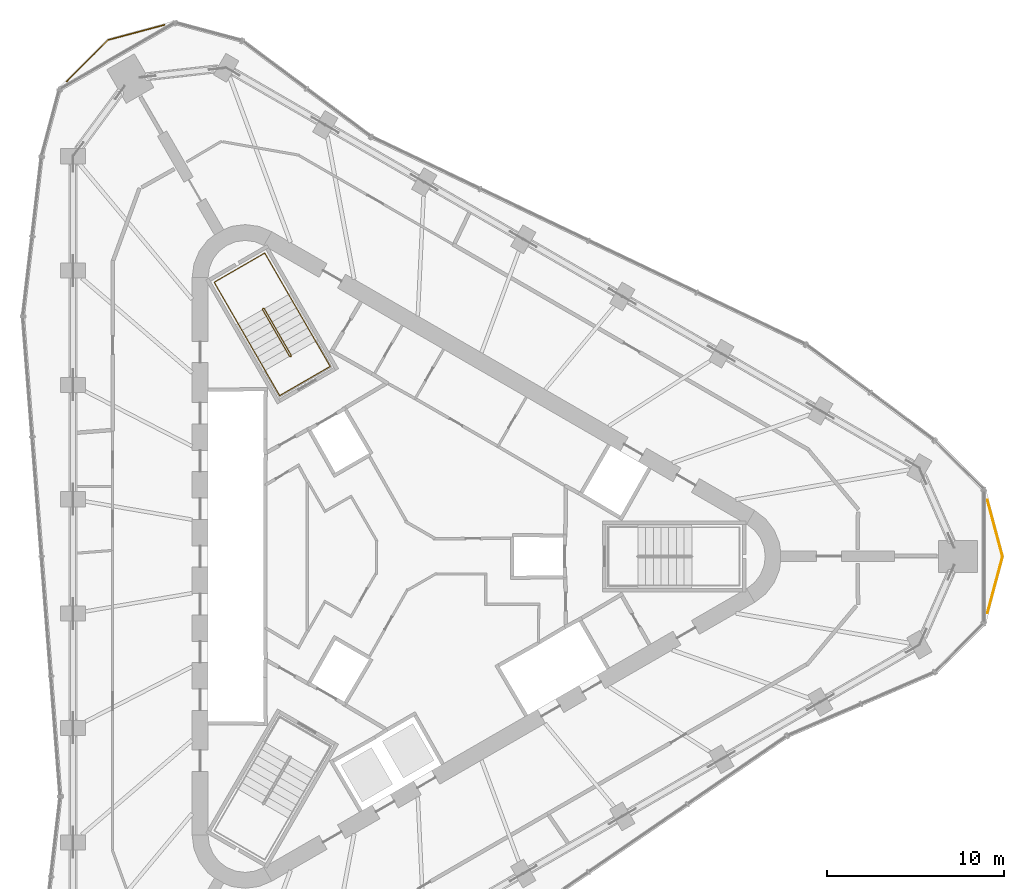
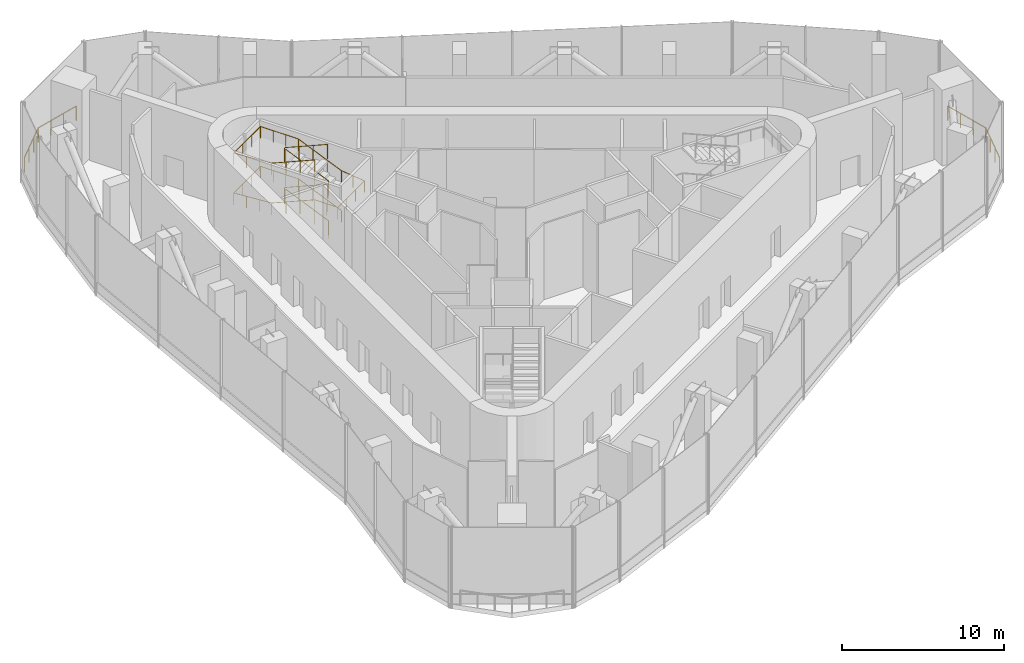
# One storey, part 14 of 15: 4 railings.
"""IFC4 building model written with IfcOpenShell, lengths in metres."""

import ifcopenshell
import ifcopenshell.guid

model = None  # the IFC model being written
_history = None  # IfcOwnerHistory: only IFC2X3 demands one
_inside = {}  # id of a spatial element -> (the spatial element, [elements in it])
_under = {}  # id of a project, library or spatial element -> (it, [spatial elements below it])
_declared = {}  # id of a project -> (the project, [libraries it declares])
_typed = {}  # id of a type object -> (the type object, [elements of that type])
_made_of = {}  # id of a material, layer set ... -> (it, [elements and type objects made of it])


def new_model(schema):
    """Start an empty IFC model of exactly this schema.

    Asked for "IFC4X3", IfcOpenShell would pick the latest addendum, in which some entities
    have other attributes; the version numbers below select the first issue.
    IFC2X3 requires an IfcOwnerHistory on every rooted entity: one is made here for all.
    """
    global model, _history
    if schema == "IFC4X3":
        model = ifcopenshell.file(schema_version=(4, 3, 0, 0))
    else:
        model = ifcopenshell.file(schema=schema)
    _inside.clear()
    _under.clear()
    _declared.clear()
    _typed.clear()
    _made_of.clear()
    _history = None
    if model.schema == "IFC2X3":
        org = make("IfcOrganization", Name="unknown")
        user = make(
            "IfcPersonAndOrganization",
            ThePerson=make("IfcPerson", FamilyName="unknown"),
            TheOrganization=org,
        )
        app = make(
            "IfcApplication",
            ApplicationDeveloper=org,
            Version="unknown",
            ApplicationFullName="unknown",
            ApplicationIdentifier="unknown",
        )
        _history = make(
            "IfcOwnerHistory",
            OwningUser=user,
            OwningApplication=app,
            ChangeAction="ADDED",
            CreationDate=0,
        )
    return model


def make(cls, **values):
    """One entity of the class cls with the attributes given. An attribute that is None is left unset."""
    return model.create_entity(
        cls, **{name: value for name, value in values.items() if value is not None}
    )


def rooted(cls, **values):
    """An entity with a GlobalId (a new one), such as an element, a storey or a relation."""
    return make(cls, GlobalId=ifcopenshell.guid.new(), OwnerHistory=_history, **values)


def si_unit(unit_type, name, prefix=None):
    """IfcSIUnit, for example si_unit("LENGTHUNIT", "METRE", prefix="MILLI")."""
    return make("IfcSIUnit", UnitType=unit_type, Prefix=prefix, Name=name)


def assignment(units):
    """IfcUnitAssignment: the units of a project."""
    return None if units is None else make("IfcUnitAssignment", Units=units)


def point(xyz):
    """IfcCartesianPoint."""
    return None if xyz is None else make("IfcCartesianPoint", Coordinates=xyz)


def direction(xyz):
    """IfcDirection."""
    return None if xyz is None else make("IfcDirection", DirectionRatios=xyz)


def frame(location, z_axis=None, x_axis=None):
    """IfcAxis2Placement3D, a coordinate frame: its origin and axes. An axis left out is left unset."""
    return make(
        "IfcAxis2Placement3D",
        Location=point(location),
        Axis=direction(z_axis),
        RefDirection=direction(x_axis),
    )


def frame_2d(location, x_axis=None):
    """IfcAxis2Placement2D, a coordinate frame in the plane: its origin and x axis."""
    return make(
        "IfcAxis2Placement2D", Location=point(location), RefDirection=direction(x_axis)
    )


def origin():
    """The frame at (0, 0, 0) with its axes left unset."""
    return frame((0.0, 0.0, 0.0))


def origin_2d():
    """The frame at (0, 0) in the plane with its x axis left unset."""
    return frame_2d((0.0, 0.0))


def place(relative_to, where):
    """IfcLocalPlacement: puts the frame where relative to a parent placement (None: the world)."""
    return make(
        "IfcLocalPlacement", PlacementRelTo=relative_to, RelativePlacement=where
    )


def context(
    kind, dimensions, precision=None, world=None, true_north=None, identifier=None
):
    """IfcGeometricRepresentationContext, for example the 3D "Model" context."""
    return make(
        "IfcGeometricRepresentationContext",
        ContextIdentifier=identifier,
        ContextType=kind,
        CoordinateSpaceDimension=dimensions,
        Precision=precision,
        WorldCoordinateSystem=world,
        TrueNorth=true_north,
    )


def subcontext(parent, identifier, kind, view, scale=None):
    """IfcGeometricRepresentationSubContext, for example "Body" below "Model"."""
    return make(
        "IfcGeometricRepresentationSubContext",
        ContextIdentifier=identifier,
        ContextType=kind,
        ParentContext=parent,
        TargetScale=scale,
        TargetView=view,
    )


def project(units=None, contexts=None):
    """IfcProject with its units and contexts."""
    return rooted(
        "IfcProject",
        Name="project",
        RepresentationContexts=contexts,
        UnitsInContext=assignment(units),
    )


def spatial(cls, under=None, at=None, **own):
    """A site, building, storey or space (cls), placed at a placement, below another one or the project."""
    s = rooted(cls, ObjectPlacement=at, **own)
    if under is not None:
        _under.setdefault(under.id(), (under, []))[1].append(s)
    return s


def profile(cls, at=None, kind="AREA", **sizes):
    """A parametric profile (cls). Its sizes go by their IFC names, for example OverallWidth=200.0."""
    return make(cls, ProfileType=kind, Position=at, **sizes)


def circle(**sizes):
    """IfcCircleProfileDef."""
    return profile("IfcCircleProfileDef", **sizes)


def extrude(swept, where, along, depth):
    """IfcExtrudedAreaSolid: the profile swept, set in the frame where, extruded along a direction by depth."""
    return make(
        "IfcExtrudedAreaSolid",
        SweptArea=swept,
        Position=where,
        ExtrudedDirection=direction(along),
        Depth=depth,
    )


def shape(context_of_items, identifier, shape_type, items):
    """IfcShapeRepresentation: the items that make up one representation, for example the "Body"."""
    return make(
        "IfcShapeRepresentation",
        ContextOfItems=context_of_items,
        RepresentationIdentifier=identifier,
        RepresentationType=shape_type,
        Items=items,
    )


def material(Name=None, Category=None):
    """IfcMaterial."""
    return make("IfcMaterial", Name=Name, Category=Category)


def made_of(thing, what):
    """Note that an element or type object is made of a material, layer set ...; save() writes the relation."""
    if what is not None:
        _made_of.setdefault(what.id(), (what, []))[1].append(thing)
    return thing


def type_object(cls, material=None, **own):
    """A type object (cls), such as IfcWallType, which elements share."""
    return made_of(rooted(cls, **own), material)


def element(
    cls,
    number,
    at=None,
    inside=None,
    cuts=None,
    type_object=None,
    material=None,
    context=None,
    identifier="Body",
    shape_type=None,
    held_by="IfcProductDefinitionShape",
    body=None,
    shapes=None,
    **own,
):
    """One element of the class cls, such as IfcWall. Its Tag is "e" and its number.

    at: its placement. inside: the storey or other place that contains it. cuts: it is an
    opening in that element (IfcRelVoidsElement). A single representation is given by context,
    identifier, shape_type and body (its items); several are given by shapes. held_by: the class
    of the entity that holds the representations. save() writes the other relations.
    """
    e = rooted(cls, Tag="e%d" % number, ObjectPlacement=at, **own)
    if body is not None:
        shapes = [shape(context, identifier, shape_type, body)]
    if shapes is not None:
        e.Representation = make(held_by, Representations=shapes)
    if inside is not None:
        _inside.setdefault(inside.id(), (inside, []))[1].append(e)
    if cuts is not None:
        rooted(
            "IfcRelVoidsElement", RelatingBuildingElement=cuts, RelatedOpeningElement=e
        )
    if type_object is not None:
        _typed.setdefault(type_object.id(), (type_object, []))[1].append(e)
    return made_of(e, material)


def aggregate(whole, parts):
    """IfcRelAggregates: a whole, such as a stair, and the parts it consists of."""
    return rooted("IfcRelAggregates", RelatingObject=whole, RelatedObjects=parts)


def save(model, path):
    """Write the relations noted so far, then the file.

    IfcRelAggregates (storeys below a building ...), IfcRelContainedInSpatialStructure (elements
    in a storey), IfcRelDefinesByType, IfcRelAssociatesMaterial and IfcRelDeclares: one each for
    every whole, place, type object, material and project.
    """
    for whole, parts in _under.values():
        aggregate(whole, parts)
    for where, things in _inside.values():
        rooted(
            "IfcRelContainedInSpatialStructure",
            RelatedElements=things,
            RelatingStructure=where,
        )
    for kind, things in _typed.values():
        rooted("IfcRelDefinesByType", RelatedObjects=things, RelatingType=kind)
    for what, things in _made_of.values():
        rooted("IfcRelAssociatesMaterial", RelatedObjects=things, RelatingMaterial=what)
    for by, libraries in _declared.values():
        rooted("IfcRelDeclares", RelatingContext=by, RelatedDefinitions=libraries)
    model.write(path)


model = new_model("IFC4")

# Units and contexts
model_context = context("Model", 3, precision=1e-05, world=origin(), true_north=direction((0.0, 1.0)))
body_context = subcontext(model_context, "Body", "Model", "MODEL_VIEW")
ifc_project = project(units=[si_unit("LENGTHUNIT", "METRE"), si_unit("AREAUNIT", "SQUARE_METRE"), si_unit("VOLUMEUNIT", "CUBIC_METRE"), si_unit("PLANEANGLEUNIT", "RADIAN"), si_unit("MASSUNIT", "GRAM", prefix="KILO")], contexts=[model_context])

# Site, building, storey
site_placement = place(None, origin())
site = spatial("IfcSite", under=ifc_project, at=site_placement, CompositionType="ELEMENT")
building_placement = place(site_placement, origin())
building = spatial("IfcBuilding", under=site, at=building_placement, Name="Tanit Gate Tower", CompositionType="ELEMENT")
storey_placement = place(building_placement, frame((0.0, 0.0, 392.300048828125)))
storey = spatial("IfcBuildingStorey", under=building, at=storey_placement, Name="L90", CompositionType="ELEMENT", Elevation=392.300048828125)

# Railings
ifc_material_1 = material(Name="Stainless steel", Category="steel")
railing_type_1 = type_object("IfcRailingType", Name="Guard 1100 stainless steel balustrade", PredefinedType="GUARDRAIL", material=ifc_material_1)
railing_1_placement = place(storey_placement, frame((-19.1923828125, 26.8603515625, 0.0)))
element("IfcRailing", 1, at=railing_1_placement, inside=storey, type_object=railing_type_1, Name="Corner ledge guard L90 2", PredefinedType="GUARDRAIL", context=body_context, shape_type="SweptSolid", body=[
    extrude(circle(Radius=0.02392578125, at=origin_2d()), frame((0.0, 0.0, 1.076171875), z_axis=(0.707106781187, 0.707106781187, 0.0), x_axis=(-0.707106781187, 0.707106781187, 0.0)), (0.0, 0.0, 1.0), 3.303466796875),
    extrude(circle(Radius=0.02392578125, at=origin_2d()), frame((2.3359375, 2.3359375, 1.076171875), z_axis=(0.965927598952, 0.258812429344, 0.0), x_axis=(-0.258812429344, 0.965927598952, 0.0)), (0.0, 0.0, 1.0), 3.303466796875),
    extrude(circle(Radius=0.02099609375, at=origin_2d()), origin(), (0.0, 0.0, 1.0), 1.052001953125),
    extrude(circle(Radius=0.02099609375, at=origin_2d()), frame((0.778564453125, 0.778564453125, 0.0)), (0.0, 0.0, 1.0), 1.052001953125),
    extrude(circle(Radius=0.02099609375, at=origin_2d()), frame((1.557373046875, 1.557373046875, 0.0)), (0.0, 0.0, 1.0), 1.052001953125),
    extrude(circle(Radius=0.02099609375, at=origin_2d()), frame((2.3359375, 2.3359375, 0.0)), (0.0, 0.0, 1.0), 1.052001953125),
    extrude(circle(Radius=0.02099609375, at=origin_2d()), frame((3.399658203125, 2.620849609375, 0.0)), (0.0, 0.0, 1.0), 1.052001953125),
    extrude(circle(Radius=0.02099609375, at=origin_2d()), frame((4.463134765625, 2.906005859375, 0.0)), (0.0, 0.0, 1.0), 1.052001953125),
    extrude(circle(Radius=0.02099609375, at=origin_2d()), frame((5.52685546875, 3.19091796875, 0.0)), (0.0, 0.0, 1.0), 1.052001953125),
])
railing_2_placement = place(storey_placement, frame((32.85791015625, 3.190673828125, 0.0)))
element("IfcRailing", 2, at=railing_2_placement, inside=storey, type_object=railing_type_1, Name="Corner ledge guard L90 3", PredefinedType="GUARDRAIL", context=body_context, shape_type="SweptSolid", body=[
    extrude(circle(Radius=0.02392578125, at=origin_2d()), frame((0.0, 0.0, 1.076171875), z_axis=(0.258830906222, -0.965922648034, 0.0), x_axis=(0.965922648034, 0.258830906222, 0.0)), (0.0, 0.0, 1.0), 3.30322265625),
    extrude(circle(Radius=0.02392578125, at=origin_2d()), frame((0.85498046875, -3.190673828125, 1.076171875), z_axis=(-0.258830906222, -0.965922648034, 0.0), x_axis=(0.965922648034, -0.258830906222, 0.0)), (0.0, 0.0, 1.0), 3.30322265625),
    extrude(circle(Radius=0.02099609375, at=origin_2d()), origin(), (0.0, 0.0, 1.0), 1.052001953125),
    extrude(circle(Radius=0.02099609375, at=origin_2d()), frame((0.284912109375, -1.0634765625, 0.0)), (0.0, 0.0, 1.0), 1.052001953125),
    extrude(circle(Radius=0.02099609375, at=origin_2d()), frame((0.570068359375, -2.127197265625, 0.0)), (0.0, 0.0, 1.0), 1.052001953125),
    extrude(circle(Radius=0.02099609375, at=origin_2d()), frame((0.85498046875, -3.190673828125, 0.0)), (0.0, 0.0, 1.0), 1.052001953125),
    extrude(circle(Radius=0.02099609375, at=origin_2d()), frame((0.570068359375, -4.254150390625, 0.0)), (0.0, 0.0, 1.0), 1.052001953125),
    extrude(circle(Radius=0.02099609375, at=origin_2d()), frame((0.284912109375, -5.31787109375, 0.0)), (0.0, 0.0, 1.0), 1.052001953125),
    extrude(circle(Radius=0.02099609375, at=origin_2d()), frame((0.0, -6.38134765625, 0.0)), (0.0, 0.0, 1.0), 1.052001953125),
])
ifc_material_2 = material(Name="Stainless steel balustrade", Category="steel")
railing_type_2 = type_object("IfcRailingType", Name="INT-STAIR-GUARD", PredefinedType="GUARDRAIL", material=ifc_material_2)
railing_3_placement = place(storey_placement, frame((-6.527099609375, 11.29345703125, 0.0)))
element("IfcRailing", 3, at=railing_3_placement, inside=storey, type_object=railing_type_2, Name="L90 S2 stair guard 1", PredefinedType="GUARDRAIL", context=body_context, shape_type="SweptSolid", body=[
    extrude(circle(Radius=0.02392578125, at=origin_2d()), frame((0.0, 0.0, 1.076171875), z_axis=(0.868243142124, 0.496138938357, 0.0), x_axis=(-0.496138938357, 0.868243142124, 0.0)), (0.0, 0.0, 1.0), 0.01171875),
    extrude(circle(Radius=0.02392578125, at=origin_2d()), frame((0.01025390625, 0.005859375, 1.076171875), z_axis=(0.091365023295, 0.341096086969, 0.935577838543), x_axis=(-0.965948051503, 0.258736085224, 0.0)), (0.0, 0.0, 1.0), 0.200439453125),
    extrude(circle(Radius=0.02392578125, at=origin_2d()), frame((0.028564453125, 0.07421875, 1.263671875), z_axis=(-0.459281500864, 0.79545055458, 0.395371873282), x_axis=(-0.866012246495, -0.500022788402, 0.0)), (0.0, 0.0, 1.0), 3.319580078125),
    extrude(circle(Radius=0.02392578125, at=origin_2d()), frame((-1.49609375, 2.71484375, 2.576171875), z_axis=(-0.965715946433, 0.259601060869, 0.0), x_axis=(-0.259601060869, -0.965715946433, 0.0)), (0.0, 0.0, 1.0), 0.070556640625),
    extrude(circle(Radius=0.02392578125, at=origin_2d()), frame((-1.564208984375, 2.733154296875, 2.576171875), z_axis=(-0.873197702015, -0.487366159264, 0.0), x_axis=(0.487366159264, -0.873197702015, 0.0)), (0.0, 0.0, 1.0), 0.011962890625),
    extrude(circle(Radius=0.02392578125, at=origin_2d()), frame((-1.57470703125, 2.727294921875, 2.576171875), z_axis=(-0.091365023295, -0.341096086969, 0.935577838543), x_axis=(0.965948051503, -0.258736085224, 0.0)), (0.0, 0.0, 1.0), 0.200439453125),
    extrude(circle(Radius=0.02392578125, at=origin_2d()), frame((-1.593017578125, 2.658935546875, 2.763671875), z_axis=(0.459281500864, -0.79545055458, 0.395371873282), x_axis=(0.866012246495, 0.500022788402, 0.0)), (0.0, 0.0, 1.0), 3.319580078125),
    extrude(circle(Radius=0.02392578125, at=origin_2d()), frame((-0.068359375, 0.018310546875, 4.076171875), z_axis=(0.965948051503, -0.258736085224, 0.0), x_axis=(0.258736085224, 0.965948051503, 0.0)), (0.0, 0.0, 1.0), 0.07080078125),
    extrude(circle(Radius=0.02392578125, at=origin_2d()), frame((0.0, 0.0, 4.076171875), z_axis=(0.868243142124, 0.496138938357, 0.0), x_axis=(-0.496138938357, 0.868243142124, 0.0)), (0.0, 0.0, 1.0), 0.01171875),
    extrude(circle(Radius=0.02392578125, at=origin_2d()), frame((0.01025390625, 0.005859375, 4.076171875), z_axis=(0.091365023295, 0.341096086969, 0.935577838543), x_axis=(-0.965948051503, 0.258736085224, 0.0)), (0.0, 0.0, 1.0), 0.200439453125),
    extrude(circle(Radius=0.02392578125, at=origin_2d()), frame((0.028564453125, 0.07421875, 4.263671875), z_axis=(-0.459281500864, 0.79545055458, 0.395371873282), x_axis=(-0.866012246495, -0.500022788402, 0.0)), (0.0, 0.0, 1.0), 3.319580078125),
    extrude(circle(Radius=0.02392578125, at=origin_2d()), frame((-1.49609375, 2.71484375, 5.576171875), z_axis=(-0.965715946433, 0.259601060869, 0.0), x_axis=(-0.259601060869, -0.965715946433, 0.0)), (0.0, 0.0, 1.0), 0.070556640625),
    extrude(circle(Radius=0.02392578125, at=origin_2d()), frame((-1.564208984375, 2.733154296875, 5.576171875), z_axis=(-0.873197702015, -0.487366159264, 0.0), x_axis=(0.487366159264, -0.873197702015, 0.0)), (0.0, 0.0, 1.0), 0.011962890625),
    extrude(circle(Radius=0.02392578125, at=origin_2d()), frame((-1.57470703125, 2.727294921875, 5.576171875), z_axis=(-0.091365023295, -0.341096086969, 0.935577838543), x_axis=(0.965948051503, -0.258736085224, 0.0)), (0.0, 0.0, 1.0), 0.200439453125),
    extrude(circle(Radius=0.02392578125, at=origin_2d()), frame((-1.593017578125, 2.658935546875, 5.763671875), z_axis=(0.459281500864, -0.79545055458, 0.395371873282), x_axis=(0.866012246495, 0.500022788402, 0.0)), (0.0, 0.0, 1.0), 3.319580078125),
    extrude(circle(Radius=0.02099609375, at=origin_2d()), origin(), (0.0, 0.0, 1.0), 1.052001953125),
    extrude(circle(Radius=0.02099609375, at=origin_2d()), frame((0.01025390625, 0.005859375, 0.0)), (0.0, 0.0, 1.0), 1.052001953125),
    extrude(circle(Radius=0.02099609375, at=origin_2d()), frame((0.028564453125, 0.07421875, 0.1875)), (0.0, 0.0, 1.0), 1.052001953125),
    extrude(circle(Radius=0.02099609375, at=origin_2d()), frame((-0.479736328125, 0.954345703125, 0.625)), (0.0, 0.0, 1.0), 1.052001953125),
    extrude(circle(Radius=0.02099609375, at=origin_2d()), frame((-0.98779296875, 1.834716796875, 1.0625)), (0.0, 0.0, 1.0), 1.052001953125),
    extrude(circle(Radius=0.02099609375, at=origin_2d()), frame((-1.49609375, 2.71484375, 1.5)), (0.0, 0.0, 1.0), 1.052001953125),
    extrude(circle(Radius=0.02099609375, at=origin_2d()), frame((-1.564208984375, 2.733154296875, 1.5)), (0.0, 0.0, 1.0), 1.052001953125),
    extrude(circle(Radius=0.02099609375, at=origin_2d()), frame((-1.57470703125, 2.727294921875, 1.5)), (0.0, 0.0, 1.0), 1.052001953125),
    extrude(circle(Radius=0.02099609375, at=origin_2d()), frame((-1.593017578125, 2.658935546875, 1.6875)), (0.0, 0.0, 1.0), 1.052001953125),
    extrude(circle(Radius=0.02099609375, at=origin_2d()), frame((-1.084716796875, 1.77880859375, 2.125)), (0.0, 0.0, 1.0), 1.052001953125),
    extrude(circle(Radius=0.02099609375, at=origin_2d()), frame((-0.57666015625, 0.8984375, 2.5625)), (0.0, 0.0, 1.0), 1.052001953125),
    extrude(circle(Radius=0.02099609375, at=origin_2d()), frame((-0.068359375, 0.018310546875, 3.0)), (0.0, 0.0, 1.0), 1.052001953125),
    extrude(circle(Radius=0.02099609375, at=origin_2d()), frame((0.0, 0.0, 3.0)), (0.0, 0.0, 1.0), 1.052001953125),
    extrude(circle(Radius=0.02099609375, at=origin_2d()), frame((0.01025390625, 0.005859375, 3.0)), (0.0, 0.0, 1.0), 1.052001953125),
    extrude(circle(Radius=0.02099609375, at=origin_2d()), frame((0.028564453125, 0.07421875, 3.1875)), (0.0, 0.0, 1.0), 1.052001953125),
    extrude(circle(Radius=0.02099609375, at=origin_2d()), frame((-0.479736328125, 0.954345703125, 3.625)), (0.0, 0.0, 1.0), 1.052001953125),
    extrude(circle(Radius=0.02099609375, at=origin_2d()), frame((-0.98779296875, 1.834716796875, 4.0625)), (0.0, 0.0, 1.0), 1.052001953125),
    extrude(circle(Radius=0.02099609375, at=origin_2d()), frame((-1.49609375, 2.71484375, 4.5)), (0.0, 0.0, 1.0), 1.052001953125),
    extrude(circle(Radius=0.02099609375, at=origin_2d()), frame((-1.564208984375, 2.733154296875, 4.5)), (0.0, 0.0, 1.0), 1.052001953125),
    extrude(circle(Radius=0.02099609375, at=origin_2d()), frame((-1.57470703125, 2.727294921875, 4.5)), (0.0, 0.0, 1.0), 1.052001953125),
    extrude(circle(Radius=0.02099609375, at=origin_2d()), frame((-1.593017578125, 2.658935546875, 4.6875)), (0.0, 0.0, 1.0), 1.052001953125),
    extrude(circle(Radius=0.02099609375, at=origin_2d()), frame((-1.084716796875, 1.77880859375, 5.125)), (0.0, 0.0, 1.0), 1.052001953125),
    extrude(circle(Radius=0.02099609375, at=origin_2d()), frame((-0.57666015625, 0.8984375, 5.5625)), (0.0, 0.0, 1.0), 1.052001953125),
    extrude(circle(Radius=0.02099609375, at=origin_2d()), frame((-0.068359375, 0.018310546875, 6.0)), (0.0, 0.0, 1.0), 1.052001953125),
])
ifc_material_3 = material(Name="Stainless steel handrail", Category="steel")
railing_type_3 = type_object("IfcRailingType", Name="INT-STAIR-HANDRAIL", PredefinedType="HANDRAIL", material=ifc_material_3)
railing_4_placement = place(storey_placement, frame((-5.1181640625, 12.164794921875, 0.1875)))
element("IfcRailing", 4, at=railing_4_placement, inside=storey, type_object=railing_type_3, Name="L90 S2 stair handrail 1", PredefinedType="HANDRAIL", context=body_context, shape_type="SweptSolid", body=[
    extrude(circle(Radius=0.02392578125, at=origin_2d()), frame((0.0, 0.0, 0.8759765625), z_axis=(-0.459223467357, 0.795477421995, 0.3953852275), x_axis=(-0.866046917185, -0.499962735845, 0.0)), (0.0, 0.0, 1.0), 3.319580078125),
    extrude(circle(Radius=0.02392578125, at=origin_2d()), frame((-1.5244140625, 2.640625, 2.1884765625), z_axis=(-0.500019123664, 0.86601436245, 0.0), x_axis=(-0.86601436245, -0.500019123664, 0.0)), (0.0, 0.0, 1.0), 2.70703125),
    extrude(circle(Radius=0.02392578125, at=origin_2d()), frame((-2.8779296875, 4.98486328125, 2.1884765625), z_axis=(-0.866008176907, -0.50002983664, 0.0), x_axis=(0.50002983664, -0.866008176907, 0.0)), (0.0, 0.0, 1.0), 3.300048828125),
    extrude(circle(Radius=0.02392578125, at=origin_2d()), frame((-5.73583984375, 3.334716796875, 2.1884765625), z_axis=(0.498862685348, -0.863921472227, 0.069106519182), x_axis=(0.865991810323, 0.500058181068, 0.0)), (0.0, 0.0, 1.0), 2.713134765625),
    extrude(circle(Radius=0.02392578125, at=origin_2d()), frame((-4.38232421875, 0.99072265625, 2.3759765625), z_axis=(0.459254633775, -0.795477561817, 0.395348744784), x_axis=(0.866032263162, 0.499988119021, 0.0)), (0.0, 0.0, 1.0), 3.31982421875),
    extrude(circle(Radius=0.02392578125, at=origin_2d()), frame((-2.857666015625, -1.650146484375, 3.6884765625), z_axis=(0.499941024108, -0.866059450854, 0.0), x_axis=(0.866059450854, 0.499941024108, 0.0)), (0.0, 0.0, 1.0), 1.643798828125),
    extrude(circle(Radius=0.02392578125, at=origin_2d()), frame((-2.035888671875, -3.07373046875, 3.6884765625), z_axis=(0.866040211805, 0.499974350878, 0.0), x_axis=(-0.499974350878, 0.866040211805, 0.0)), (0.0, 0.0, 1.0), 3.300048828125),
    extrude(circle(Radius=0.02392578125, at=origin_2d()), frame((0.822021484375, -1.423828125, 3.6884765625), z_axis=(-0.496767975462, 0.860454657824, 0.113310901442), x_axis=(-0.866032269107, -0.499988108725, 0.0)), (0.0, 0.0, 1.0), 1.65478515625),
    extrude(circle(Radius=0.02392578125, at=origin_2d()), frame((0.0, 0.0, 3.8759765625), z_axis=(-0.459223467357, 0.795477421995, 0.3953852275), x_axis=(-0.866046917185, -0.499962735845, 0.0)), (0.0, 0.0, 1.0), 3.319580078125),
    extrude(circle(Radius=0.02392578125, at=origin_2d()), frame((-1.5244140625, 2.640625, 5.1884765625), z_axis=(-0.500019123664, 0.86601436245, 0.0), x_axis=(-0.86601436245, -0.500019123664, 0.0)), (0.0, 0.0, 1.0), 2.70703125),
    extrude(circle(Radius=0.02392578125, at=origin_2d()), frame((-2.8779296875, 4.98486328125, 5.1884765625), z_axis=(-0.866008176907, -0.50002983664, 0.0), x_axis=(0.50002983664, -0.866008176907, 0.0)), (0.0, 0.0, 1.0), 3.300048828125),
    extrude(circle(Radius=0.02392578125, at=origin_2d()), frame((-5.73583984375, 3.334716796875, 5.1884765625), z_axis=(0.498862685348, -0.863921472227, 0.069106519182), x_axis=(0.865991810323, 0.500058181068, 0.0)), (0.0, 0.0, 1.0), 2.713134765625),
    extrude(circle(Radius=0.02392578125, at=origin_2d()), frame((-4.38232421875, 0.99072265625, 5.3759765625), z_axis=(0.459254633775, -0.795477561817, 0.395348744784), x_axis=(0.866032263162, 0.499988119021, 0.0)), (0.0, 0.0, 1.0), 3.31982421875),
    extrude(circle(Radius=0.02099609375, at=origin_2d()), origin(), (0.0, 0.0, 1.0), 0.851806640625),
    extrude(circle(Radius=0.02099609375, at=origin_2d()), frame((-0.508056640625, 0.880126953125, 0.4375)), (0.0, 0.0, 1.0), 0.851806640625),
    extrude(circle(Radius=0.02099609375, at=origin_2d()), frame((-1.016357421875, 1.760498046875, 0.875)), (0.0, 0.0, 1.0), 0.851806640625),
    extrude(circle(Radius=0.02099609375, at=origin_2d()), frame((-1.5244140625, 2.640625, 1.3125)), (0.0, 0.0, 1.0), 0.851806640625),
    extrude(circle(Radius=0.02099609375, at=origin_2d()), frame((-1.9755859375, 3.422119140625, 1.3125)), (0.0, 0.0, 1.0), 0.851806640625),
    extrude(circle(Radius=0.02099609375, at=origin_2d()), frame((-2.4267578125, 4.203369140625, 1.3125)), (0.0, 0.0, 1.0), 0.851806640625),
    extrude(circle(Radius=0.02099609375, at=origin_2d()), frame((-2.8779296875, 4.98486328125, 1.3125)), (0.0, 0.0, 1.0), 0.851806640625),
    extrude(circle(Radius=0.02099609375, at=origin_2d()), frame((-3.83056640625, 4.434814453125, 1.3125)), (0.0, 0.0, 1.0), 0.851806640625),
    extrude(circle(Radius=0.02099609375, at=origin_2d()), frame((-4.783203125, 3.884765625, 1.3125)), (0.0, 0.0, 1.0), 0.851806640625),
    extrude(circle(Radius=0.02099609375, at=origin_2d()), frame((-5.73583984375, 3.334716796875, 1.3125)), (0.0, 0.0, 1.0), 0.851806640625),
    extrude(circle(Radius=0.02099609375, at=origin_2d()), frame((-5.28466796875, 2.553466796875, 1.375)), (0.0, 0.0, 1.0), 0.851806640625),
    extrude(circle(Radius=0.02099609375, at=origin_2d()), frame((-4.83349609375, 1.77197265625, 1.4375)), (0.0, 0.0, 1.0), 0.851806640625),
    extrude(circle(Radius=0.02099609375, at=origin_2d()), frame((-4.38232421875, 0.99072265625, 1.5)), (0.0, 0.0, 1.0), 0.851806640625),
    extrude(circle(Radius=0.02099609375, at=origin_2d()), frame((-3.8740234375, 0.1103515625, 1.9375)), (0.0, 0.0, 1.0), 0.851806640625),
    extrude(circle(Radius=0.02099609375, at=origin_2d()), frame((-3.365966796875, -0.769775390625, 2.375)), (0.0, 0.0, 1.0), 0.851806640625),
    extrude(circle(Radius=0.02099609375, at=origin_2d()), frame((-2.857666015625, -1.650146484375, 2.8125)), (0.0, 0.0, 1.0), 0.851806640625),
    extrude(circle(Radius=0.02099609375, at=origin_2d()), frame((-2.44677734375, -2.36181640625, 2.8125)), (0.0, 0.0, 1.0), 0.851806640625),
    extrude(circle(Radius=0.02099609375, at=origin_2d()), frame((-2.035888671875, -3.07373046875, 2.8125)), (0.0, 0.0, 1.0), 0.851806640625),
    extrude(circle(Radius=0.02099609375, at=origin_2d()), frame((-1.083251953125, -2.523681640625, 2.8125)), (0.0, 0.0, 1.0), 0.851806640625),
    extrude(circle(Radius=0.02099609375, at=origin_2d()), frame((-0.130615234375, -1.973876953125, 2.8125)), (0.0, 0.0, 1.0), 0.851806640625),
    extrude(circle(Radius=0.02099609375, at=origin_2d()), frame((0.822021484375, -1.423828125, 2.8125)), (0.0, 0.0, 1.0), 0.851806640625),
    extrude(circle(Radius=0.02099609375, at=origin_2d()), frame((0.4111328125, -0.7119140625, 2.90625)), (0.0, 0.0, 1.0), 0.851806640625),
    extrude(circle(Radius=0.02099609375, at=origin_2d()), frame((0.0, 0.0, 3.0)), (0.0, 0.0, 1.0), 0.851806640625),
    extrude(circle(Radius=0.02099609375, at=origin_2d()), frame((-0.508056640625, 0.880126953125, 3.4375)), (0.0, 0.0, 1.0), 0.851806640625),
    extrude(circle(Radius=0.02099609375, at=origin_2d()), frame((-1.016357421875, 1.760498046875, 3.875)), (0.0, 0.0, 1.0), 0.851806640625),
    extrude(circle(Radius=0.02099609375, at=origin_2d()), frame((-1.5244140625, 2.640625, 4.3125)), (0.0, 0.0, 1.0), 0.851806640625),
    extrude(circle(Radius=0.02099609375, at=origin_2d()), frame((-1.9755859375, 3.422119140625, 4.3125)), (0.0, 0.0, 1.0), 0.851806640625),
    extrude(circle(Radius=0.02099609375, at=origin_2d()), frame((-2.4267578125, 4.203369140625, 4.3125)), (0.0, 0.0, 1.0), 0.851806640625),
    extrude(circle(Radius=0.02099609375, at=origin_2d()), frame((-2.8779296875, 4.98486328125, 4.3125)), (0.0, 0.0, 1.0), 0.851806640625),
    extrude(circle(Radius=0.02099609375, at=origin_2d()), frame((-3.83056640625, 4.434814453125, 4.3125)), (0.0, 0.0, 1.0), 0.851806640625),
    extrude(circle(Radius=0.02099609375, at=origin_2d()), frame((-4.783203125, 3.884765625, 4.3125)), (0.0, 0.0, 1.0), 0.851806640625),
    extrude(circle(Radius=0.02099609375, at=origin_2d()), frame((-5.73583984375, 3.334716796875, 4.3125)), (0.0, 0.0, 1.0), 0.851806640625),
    extrude(circle(Radius=0.02099609375, at=origin_2d()), frame((-5.28466796875, 2.553466796875, 4.375)), (0.0, 0.0, 1.0), 0.851806640625),
    extrude(circle(Radius=0.02099609375, at=origin_2d()), frame((-4.83349609375, 1.77197265625, 4.4375)), (0.0, 0.0, 1.0), 0.851806640625),
    extrude(circle(Radius=0.02099609375, at=origin_2d()), frame((-4.38232421875, 0.99072265625, 4.5)), (0.0, 0.0, 1.0), 0.851806640625),
    extrude(circle(Radius=0.02099609375, at=origin_2d()), frame((-3.8740234375, 0.1103515625, 4.9375)), (0.0, 0.0, 1.0), 0.851806640625),
    extrude(circle(Radius=0.02099609375, at=origin_2d()), frame((-3.365966796875, -0.769775390625, 5.375)), (0.0, 0.0, 1.0), 0.851806640625),
    extrude(circle(Radius=0.02099609375, at=origin_2d()), frame((-2.857666015625, -1.650146484375, 5.8125)), (0.0, 0.0, 1.0), 0.851806640625),
])

save(model, "model.ifc")
